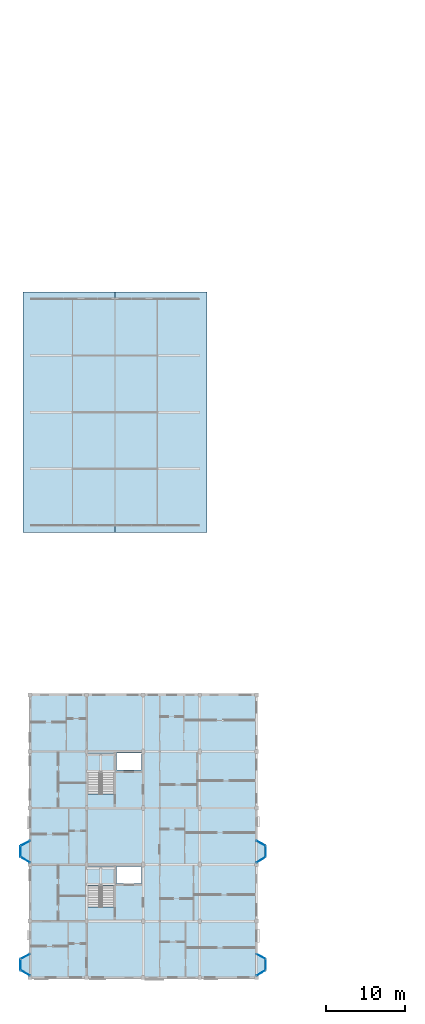
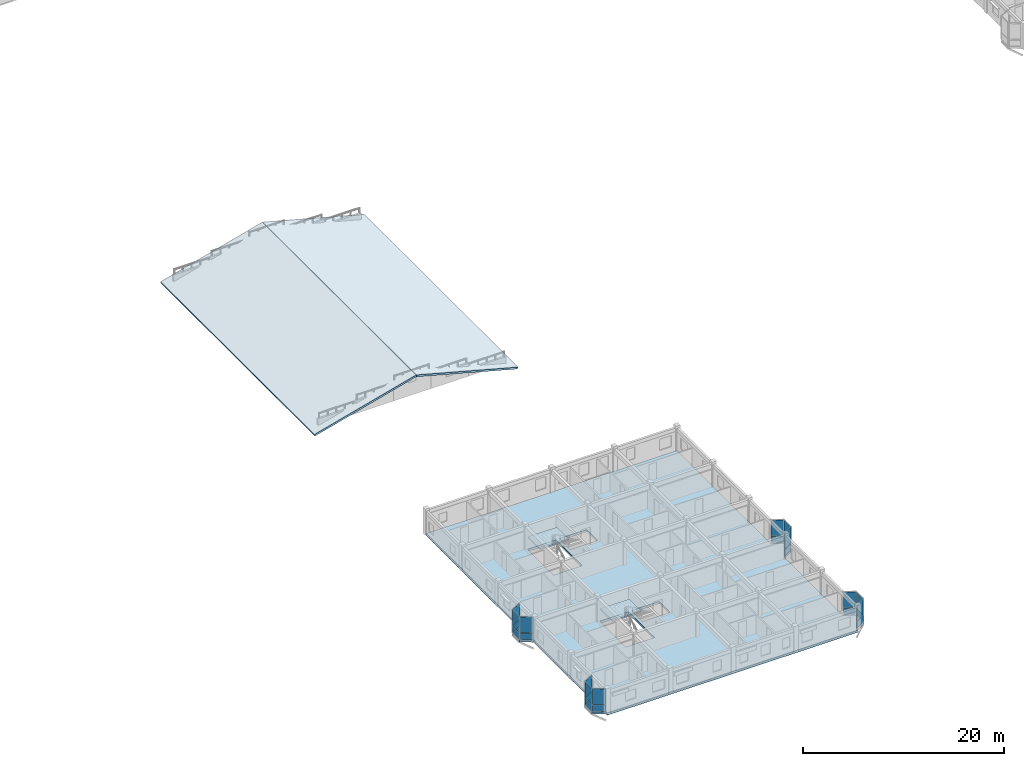
# One storey, part 41 of 65: 24 plates, 5 slabs, 14 elements without a shape of their own.
"""IFC4 building model written with IfcOpenShell, lengths in metres."""

from ifc_helpers import new_model, si_unit, direction, frame, origin, origin_2d, place, context, subcontext, project, spatial, polyline, rectangle, outline, extrude, material, layer, layer_set, type_object, element, aggregate, save


model = new_model("IFC4")

# Units and contexts
model_context = context("Model", 3, precision=1e-05, world=origin(), true_north=direction((0.0, 1.0)))
body_context = subcontext(model_context, "Body", "Model", "MODEL_VIEW")
ifc_project = project(units=[si_unit("LENGTHUNIT", "METRE"), si_unit("AREAUNIT", "SQUARE_METRE"), si_unit("VOLUMEUNIT", "CUBIC_METRE"), si_unit("PLANEANGLEUNIT", "RADIAN"), si_unit("MASSUNIT", "GRAM", prefix="KILO"), si_unit("THERMODYNAMICTEMPERATUREUNIT", "KELVIN"), si_unit("POWERUNIT", "WATT")], contexts=[model_context])

# Site, building, storey
site_placement = place(None, origin())
site = spatial("IfcSite", under=ifc_project, at=site_placement, CompositionType="ELEMENT")
building_placement = place(site_placement, origin())
building = spatial("IfcBuilding", under=site, at=building_placement, Name="Tavuni Mirador Residences", CompositionType="ELEMENT")
storey_placement = place(building_placement, frame((0.0, 0.0, 29.699951171875)))
storey = spatial("IfcBuildingStorey", under=building, at=storey_placement, Name="L09", CompositionType="ELEMENT", Elevation=29.699951171875)

# Curtain wall, plate
ifc_material_1 = material(Name="Anodised aluminium", Category="aluminium")
ifc_layer_1 = layer(ifc_material_1, 0.1650390625, Name="Anodised aluminium", Category="aluminium")
ifc_layer_set_1 = layer_set([ifc_layer_1], Name="Anodised aluminium")
curtain_wall_type_1 = type_object("IfcCurtainWallType", Name="CWT-MIR-A", PredefinedType="NOTDEFINED", material=ifc_layer_set_1)
curtain_wall_1_placement = place(storey_placement, origin())
curtain_wall_1 = element("IfcCurtainWall", 1, at=curtain_wall_1_placement, inside=storey, type_object=curtain_wall_type_1, Name="CW-MIR-A-E2-L09-M1", PredefinedType="NOTDEFINED")
ifc_material_2 = material(Name="Laminated solar-control glass", Category="glass")
ifc_layer_2 = layer(ifc_material_2, 0.02392578125, Name="Laminated solar-control glass", Category="glass")
ifc_layer_set_2 = layer_set([ifc_layer_2], Name="Laminated solar-control glass")
plate_type_1 = type_object("IfcPlateType", Name="CWP-GL24", PredefinedType="CURTAIN_PANEL", material=ifc_layer_set_2)
plate_1_placement = place(storey_placement, frame((33.0, 22.205078125, 0.8798828125), z_axis=(0.0, 0.0, 1.0), x_axis=(0.860640830284, 0.509212491254, 0.0)))
plate_1 = element("IfcPlate", 2, at=plate_1_placement, type_object=plate_type_1, Name="CW-01 panel 1.2", PredefinedType="CURTAIN_PANEL", context=body_context, shape_type="SweptSolid", body=[
    extrude(rectangle(XDim=1.2744140625, YDim=0.02392578125, at=origin_2d()), origin(), (0.0, 0.0, 1.0), 1.929931640625),
])

curtain_wall_2_placement = place(storey_placement, origin())
curtain_wall_2 = element("IfcCurtainWall", 3, at=curtain_wall_2_placement, inside=storey, type_object=curtain_wall_type_1, Name="CW-MIR-A-W2-L09-MF", PredefinedType="NOTDEFINED")
plate_2_placement = place(storey_placement, frame((2.39990234375, 23.27001953125, 0.8798828125), z_axis=(0.0, 0.0, 1.0), x_axis=(0.0, -1.0, 0.0)))
plate_2 = element("IfcPlate", 4, at=plate_2_placement, type_object=plate_type_1, Name="CW-01 panel 1.2", PredefinedType="CURTAIN_PANEL", context=body_context, shape_type="SweptSolid", body=[
    extrude(rectangle(XDim=1.300048828125, YDim=0.02392578125, at=origin_2d()), origin(), (0.0, 0.0, 1.0), 1.929931640625),
])

curtain_wall_3_placement = place(storey_placement, origin())
curtain_wall_3 = element("IfcCurtainWall", 5, at=curtain_wall_3_placement, inside=storey, type_object=curtain_wall_type_1, Name="CW-MIR-A-W1-L09-M2", PredefinedType="NOTDEFINED")
plate_3_placement = place(storey_placement, frame((3.0, 7.804931640625, 0.8798828125), z_axis=(0.0, 0.0, 1.0), x_axis=(0.860640830284, -0.509212491254, 0.0)))
plate_3 = element("IfcPlate", 6, at=plate_3_placement, type_object=plate_type_1, Name="CW-01 panel 1.2", PredefinedType="CURTAIN_PANEL", context=body_context, shape_type="SweptSolid", body=[
    extrude(rectangle(XDim=1.2744140625, YDim=0.02392578125, at=origin_2d()), origin(), (0.0, 0.0, 1.0), 1.929931640625),
])

ifc_layer_3 = layer(ifc_material_1, 0.14990234375, Name="Anodised aluminium", Category="aluminium")
ifc_layer_set_3 = layer_set([ifc_layer_3], Name="Anodised aluminium")
curtain_wall_type_2 = type_object("IfcCurtainWallType", Name="CWT-MIR-B", PredefinedType="NOTDEFINED", material=ifc_layer_set_3)
curtain_wall_4_placement = place(storey_placement, origin())
curtain_wall_4 = element("IfcCurtainWall", 7, at=curtain_wall_4_placement, inside=storey, type_object=curtain_wall_type_2, Name="CW-MIR-A-E1-L09-M1", PredefinedType="NOTDEFINED")
ifc_layer_4 = layer(ifc_material_2, 0.028076171875, Name="Laminated solar-control glass", Category="glass")
ifc_layer_set_4 = layer_set([ifc_layer_4], Name="Laminated solar-control glass")
plate_type_2 = type_object("IfcPlateType", Name="CWP-GL28", PredefinedType="CURTAIN_PANEL", material=ifc_layer_set_4)
plate_4_placement = place(storey_placement, frame((33.0, 7.804931640625, 0.88232421875), z_axis=(0.0, 0.0, 1.0), x_axis=(0.860640830284, 0.509212491254, 0.0)))
plate_4 = element("IfcPlate", 8, at=plate_4_placement, type_object=plate_type_2, Name="CW-02 panel 1.2", PredefinedType="CURTAIN_PANEL", context=body_context, shape_type="SweptSolid", body=[
    extrude(rectangle(XDim=1.264404296875, YDim=0.028076171875, at=origin_2d()), origin(), (0.0, 0.0, 1.0), 1.922607421875),
])

curtain_wall_5_placement = place(storey_placement, origin())
curtain_wall_5 = element("IfcCurtainWall", 9, at=curtain_wall_5_placement, inside=storey, type_object=curtain_wall_type_2, Name="CW-MIR-A-E2-L09-MF", PredefinedType="NOTDEFINED")
plate_5_placement = place(storey_placement, frame((33.60009765625, 23.27001953125, 0.88232421875), z_axis=(0.0, 0.0, 1.0), x_axis=(0.0, 1.0, 0.0)))
plate_5 = element("IfcPlate", 10, at=plate_5_placement, type_object=plate_type_2, Name="CW-02 panel 1.2", PredefinedType="CURTAIN_PANEL", context=body_context, shape_type="SweptSolid", body=[
    extrude(rectangle(XDim=1.2900390625, YDim=0.028076171875, at=origin_2d()), origin(), (0.0, 0.0, 1.0), 1.922607421875),
])

curtain_wall_6_placement = place(storey_placement, origin())
curtain_wall_6 = element("IfcCurtainWall", 11, at=curtain_wall_6_placement, inside=storey, type_object=curtain_wall_type_2, Name="CW-MIR-A-W2-L09-M2", PredefinedType="NOTDEFINED")
plate_6_placement = place(storey_placement, frame((3.0, 22.205078125, 0.88232421875), z_axis=(0.0, 0.0, 1.0), x_axis=(0.860640830284, -0.509212491254, 0.0)))
plate_6 = element("IfcPlate", 12, at=plate_6_placement, type_object=plate_type_2, Name="CW-02 panel 1.2", PredefinedType="CURTAIN_PANEL", context=body_context, shape_type="SweptSolid", body=[
    extrude(rectangle(XDim=1.264404296875, YDim=0.028076171875, at=origin_2d()), origin(), (0.0, 0.0, 1.0), 1.922607421875),
])

ifc_layer_5 = layer(ifc_material_1, 0.175048828125, Name="Anodised aluminium", Category="aluminium")
ifc_layer_set_5 = layer_set([ifc_layer_5], Name="Anodised aluminium")
curtain_wall_type_3 = type_object("IfcCurtainWallType", Name="CWT-MIR-C", PredefinedType="NOTDEFINED", material=ifc_layer_set_5)
curtain_wall_7_placement = place(storey_placement, origin())
curtain_wall_7 = element("IfcCurtainWall", 13, at=curtain_wall_7_placement, inside=storey, type_object=curtain_wall_type_3, Name="CW-MIR-A-E1-L09-MF", PredefinedType="NOTDEFINED")
ifc_layer_6 = layer(ifc_material_2, 0.031982421875, Name="Laminated solar-control glass", Category="glass")
ifc_layer_set_6 = layer_set([ifc_layer_6], Name="Laminated solar-control glass")
plate_type_3 = type_object("IfcPlateType", Name="CWP-GL32", PredefinedType="CURTAIN_PANEL", material=ifc_layer_set_6)
plate_7_placement = place(storey_placement, frame((33.60009765625, 8.8701171875, 0.8798828125), z_axis=(0.0, 0.0, 1.0), x_axis=(0.0, 1.0, 0.0)))
plate_7 = element("IfcPlate", 14, at=plate_7_placement, type_object=plate_type_3, Name="CW-03 panel 1.2", PredefinedType="CURTAIN_PANEL", context=body_context, shape_type="SweptSolid", body=[
    extrude(rectangle(XDim=1.300048828125, YDim=0.031982421875, at=origin_2d()), origin(), (0.0, 0.0, 1.0), 1.929931640625),
])

curtain_wall_8_placement = place(storey_placement, origin())
curtain_wall_8 = element("IfcCurtainWall", 15, at=curtain_wall_8_placement, inside=storey, type_object=curtain_wall_type_3, Name="CW-MIR-A-E2-L09-M2", PredefinedType="NOTDEFINED")
plate_8_placement = place(storey_placement, frame((33.0, 24.300048828125, 0.8798828125), z_axis=(0.0, 0.0, 1.0), x_axis=(-0.882352941175, 0.470588235296, 0.0)))
plate_8 = element("IfcPlate", 16, at=plate_8_placement, type_object=plate_type_3, Name="CW-03 panel 1.2", PredefinedType="CURTAIN_PANEL", context=body_context, shape_type="SweptSolid", body=[
    extrude(rectangle(XDim=1.239990234375, YDim=0.031982421875, at=origin_2d()), origin(), (0.0, 0.0, 1.0), 1.929931640625),
])

curtain_wall_9_placement = place(storey_placement, origin())
curtain_wall_9 = element("IfcCurtainWall", 17, at=curtain_wall_9_placement, inside=storey, type_object=curtain_wall_type_3, Name="CW-MIR-A-W1-L09-M1", PredefinedType="NOTDEFINED")
plate_9_placement = place(storey_placement, frame((3.0, 9.89990234375, 0.8798828125), z_axis=(0.0, 0.0, 1.0), x_axis=(-0.882352941175, -0.470588235296, 0.0)))
plate_9 = element("IfcPlate", 18, at=plate_9_placement, type_object=plate_type_3, Name="CW-03 panel 1.2", PredefinedType="CURTAIN_PANEL", context=body_context, shape_type="SweptSolid", body=[
    extrude(rectangle(XDim=1.239990234375, YDim=0.031982421875, at=origin_2d()), origin(), (0.0, 0.0, 1.0), 1.929931640625),
])

ifc_layer_7 = layer(ifc_material_1, 0.159912109375, Name="Anodised aluminium", Category="aluminium")
ifc_layer_set_7 = layer_set([ifc_layer_7], Name="Anodised aluminium")
curtain_wall_type_4 = type_object("IfcCurtainWallType", Name="CWT-MIR-D", PredefinedType="NOTDEFINED", material=ifc_layer_set_7)
curtain_wall_10_placement = place(storey_placement, origin())
curtain_wall_10 = element("IfcCurtainWall", 19, at=curtain_wall_10_placement, inside=storey, type_object=curtain_wall_type_4, Name="CW-MIR-A-E1-L09-M2", PredefinedType="NOTDEFINED")
ifc_layer_8 = layer(ifc_material_2, 0.035888671875, Name="Laminated solar-control glass", Category="glass")
ifc_layer_set_8 = layer_set([ifc_layer_8], Name="Laminated solar-control glass")
plate_type_4 = type_object("IfcPlateType", Name="CWP-GL36", PredefinedType="CURTAIN_PANEL", material=ifc_layer_set_8)
plate_10_placement = place(storey_placement, frame((33.0, 9.89990234375, 0.88232421875), z_axis=(0.0, 0.0, 1.0), x_axis=(-0.882352941175, 0.470588235296, 0.0)))
plate_10 = element("IfcPlate", 20, at=plate_10_placement, type_object=plate_type_4, Name="CW-04 panel 1.2", PredefinedType="CURTAIN_PANEL", context=body_context, shape_type="SweptSolid", body=[
    extrude(rectangle(XDim=1.22998046875, YDim=0.035888671875, at=origin_2d()), origin(), (0.0, 0.0, 1.0), 1.922607421875),
])

curtain_wall_11_placement = place(storey_placement, origin())
curtain_wall_11 = element("IfcCurtainWall", 21, at=curtain_wall_11_placement, inside=storey, type_object=curtain_wall_type_4, Name="CW-MIR-A-W2-L09-M1", PredefinedType="NOTDEFINED")
plate_11_placement = place(storey_placement, frame((3.0, 24.300048828125, 0.88232421875), z_axis=(0.0, 0.0, 1.0), x_axis=(-0.882352941175, -0.470588235296, 0.0)))
plate_11 = element("IfcPlate", 22, at=plate_11_placement, type_object=plate_type_4, Name="CW-04 panel 1.2", PredefinedType="CURTAIN_PANEL", context=body_context, shape_type="SweptSolid", body=[
    extrude(rectangle(XDim=1.22998046875, YDim=0.035888671875, at=origin_2d()), origin(), (0.0, 0.0, 1.0), 1.922607421875),
])

curtain_wall_12_placement = place(storey_placement, origin())
curtain_wall_12 = element("IfcCurtainWall", 23, at=curtain_wall_12_placement, inside=storey, type_object=curtain_wall_type_4, Name="CW-MIR-A-W1-L09-MF", PredefinedType="NOTDEFINED")
plate_12_placement = place(storey_placement, frame((2.39990234375, 8.8701171875, 0.88232421875), z_axis=(0.0, 0.0, 1.0), x_axis=(0.0, -1.0, 0.0)))
plate_12 = element("IfcPlate", 24, at=plate_12_placement, type_object=plate_type_4, Name="CW-04 panel 1.2", PredefinedType="CURTAIN_PANEL", context=body_context, shape_type="SweptSolid", body=[
    extrude(rectangle(XDim=1.2900390625, YDim=0.035888671875, at=origin_2d()), origin(), (0.0, 0.0, 1.0), 1.922607421875),
])

# Plate
ifc_material_3 = material(Name="Ceramic trencadis mosaic panel", Category="masonry")
ifc_layer_9 = layer(ifc_material_3, 0.0419921875, Name="Ceramic trencadis mosaic panel", Category="masonry")
ifc_layer_set_9 = layer_set([ifc_layer_9], Name="Ceramic trencadis mosaic panel")
plate_type_5 = type_object("IfcPlateType", Name="CWP-SP42", PredefinedType="CURTAIN_PANEL", material=ifc_layer_set_9)
plate_13_placement = place(storey_placement, frame((33.60009765625, 8.8701171875, 0.06005859375), z_axis=(0.0, 0.0, 1.0), x_axis=(0.0, 1.0, 0.0)))
plate_13 = element("IfcPlate", 25, at=plate_13_placement, type_object=plate_type_5, Name="CW-03 panel 1.1", PredefinedType="CURTAIN_PANEL", context=body_context, shape_type="SweptSolid", body=[
    extrude(rectangle(XDim=1.300048828125, YDim=0.0419921875, at=origin_2d()), origin(), (0.0, 0.0, 1.0), 0.760009765625),
])

aggregate(curtain_wall_7, [plate_13, plate_7])

plate_14_placement = place(storey_placement, frame((33.0, 22.205078125, 0.06005859375), z_axis=(0.0, 0.0, 1.0), x_axis=(0.860640830284, 0.509212491254, 0.0)))
plate_14 = element("IfcPlate", 26, at=plate_14_placement, type_object=plate_type_5, Name="CW-01 panel 1.1", PredefinedType="CURTAIN_PANEL", context=body_context, shape_type="SweptSolid", body=[
    extrude(rectangle(XDim=1.2744140625, YDim=0.0419921875, at=origin_2d()), origin(), (0.0, 0.0, 1.0), 0.760009765625),
])

aggregate(curtain_wall_1, [plate_14, plate_1])

plate_15_placement = place(storey_placement, frame((33.0, 24.300048828125, 0.06005859375), z_axis=(0.0, 0.0, 1.0), x_axis=(-0.882352941175, 0.470588235296, 0.0)))
plate_15 = element("IfcPlate", 27, at=plate_15_placement, type_object=plate_type_5, Name="CW-03 panel 1.1", PredefinedType="CURTAIN_PANEL", context=body_context, shape_type="SweptSolid", body=[
    extrude(rectangle(XDim=1.239990234375, YDim=0.0419921875, at=origin_2d()), origin(), (0.0, 0.0, 1.0), 0.760009765625),
])

aggregate(curtain_wall_8, [plate_15, plate_8])

plate_16_placement = place(storey_placement, frame((2.39990234375, 23.27001953125, 0.06005859375), z_axis=(0.0, 0.0, 1.0), x_axis=(0.0, -1.0, 0.0)))
plate_16 = element("IfcPlate", 28, at=plate_16_placement, type_object=plate_type_5, Name="CW-01 panel 1.1", PredefinedType="CURTAIN_PANEL", context=body_context, shape_type="SweptSolid", body=[
    extrude(rectangle(XDim=1.300048828125, YDim=0.0419921875, at=origin_2d()), origin(), (0.0, 0.0, 1.0), 0.760009765625),
])

aggregate(curtain_wall_2, [plate_16, plate_2])

plate_17_placement = place(storey_placement, frame((3.0, 9.89990234375, 0.06005859375), z_axis=(0.0, 0.0, 1.0), x_axis=(-0.882352941175, -0.470588235296, 0.0)))
plate_17 = element("IfcPlate", 29, at=plate_17_placement, type_object=plate_type_5, Name="CW-03 panel 1.1", PredefinedType="CURTAIN_PANEL", context=body_context, shape_type="SweptSolid", body=[
    extrude(rectangle(XDim=1.239990234375, YDim=0.0419921875, at=origin_2d()), origin(), (0.0, 0.0, 1.0), 0.760009765625),
])

aggregate(curtain_wall_9, [plate_17, plate_9])

plate_18_placement = place(storey_placement, frame((3.0, 7.804931640625, 0.06005859375), z_axis=(0.0, 0.0, 1.0), x_axis=(0.860640830284, -0.509212491254, 0.0)))
plate_18 = element("IfcPlate", 30, at=plate_18_placement, type_object=plate_type_5, Name="CW-01 panel 1.1", PredefinedType="CURTAIN_PANEL", context=body_context, shape_type="SweptSolid", body=[
    extrude(rectangle(XDim=1.2744140625, YDim=0.0419921875, at=origin_2d()), origin(), (0.0, 0.0, 1.0), 0.760009765625),
])

aggregate(curtain_wall_3, [plate_18, plate_3])

ifc_layer_10 = layer(ifc_material_3, 0.048095703125, Name="Ceramic trencadis mosaic panel", Category="masonry")
ifc_layer_set_10 = layer_set([ifc_layer_10], Name="Ceramic trencadis mosaic panel")
plate_type_6 = type_object("IfcPlateType", Name="CWP-SP48", PredefinedType="CURTAIN_PANEL", material=ifc_layer_set_10)
plate_19_placement = place(storey_placement, frame((33.0, 7.804931640625, 0.065185546875), z_axis=(0.0, 0.0, 1.0), x_axis=(0.860640830284, 0.509212491254, 0.0)))
plate_19 = element("IfcPlate", 31, at=plate_19_placement, type_object=plate_type_6, Name="CW-02 panel 1.1", PredefinedType="CURTAIN_PANEL", context=body_context, shape_type="SweptSolid", body=[
    extrude(rectangle(XDim=1.264404296875, YDim=0.048095703125, at=origin_2d()), origin(), (0.0, 0.0, 1.0), 0.75244140625),
])

aggregate(curtain_wall_4, [plate_19, plate_4])

plate_20_placement = place(storey_placement, frame((33.0, 9.89990234375, 0.065185546875), z_axis=(0.0, 0.0, 1.0), x_axis=(-0.882352941175, 0.470588235296, 0.0)))
plate_20 = element("IfcPlate", 32, at=plate_20_placement, type_object=plate_type_6, Name="CW-04 panel 1.1", PredefinedType="CURTAIN_PANEL", context=body_context, shape_type="SweptSolid", body=[
    extrude(rectangle(XDim=1.22998046875, YDim=0.048095703125, at=origin_2d()), origin(), (0.0, 0.0, 1.0), 0.75244140625),
])

aggregate(curtain_wall_10, [plate_20, plate_10])

plate_21_placement = place(storey_placement, frame((33.60009765625, 23.27001953125, 0.065185546875), z_axis=(0.0, 0.0, 1.0), x_axis=(0.0, 1.0, 0.0)))
plate_21 = element("IfcPlate", 33, at=plate_21_placement, type_object=plate_type_6, Name="CW-02 panel 1.1", PredefinedType="CURTAIN_PANEL", context=body_context, shape_type="SweptSolid", body=[
    extrude(rectangle(XDim=1.2900390625, YDim=0.048095703125, at=origin_2d()), origin(), (0.0, 0.0, 1.0), 0.75244140625),
])

aggregate(curtain_wall_5, [plate_21, plate_5])

plate_22_placement = place(storey_placement, frame((3.0, 24.300048828125, 0.065185546875), z_axis=(0.0, 0.0, 1.0), x_axis=(-0.882352941175, -0.470588235296, 0.0)))
plate_22 = element("IfcPlate", 34, at=plate_22_placement, type_object=plate_type_6, Name="CW-04 panel 1.1", PredefinedType="CURTAIN_PANEL", context=body_context, shape_type="SweptSolid", body=[
    extrude(rectangle(XDim=1.22998046875, YDim=0.048095703125, at=origin_2d()), origin(), (0.0, 0.0, 1.0), 0.75244140625),
])

aggregate(curtain_wall_11, [plate_22, plate_11])

plate_23_placement = place(storey_placement, frame((3.0, 22.205078125, 0.065185546875), z_axis=(0.0, 0.0, 1.0), x_axis=(0.860640830284, -0.509212491254, 0.0)))
plate_23 = element("IfcPlate", 35, at=plate_23_placement, type_object=plate_type_6, Name="CW-02 panel 1.1", PredefinedType="CURTAIN_PANEL", context=body_context, shape_type="SweptSolid", body=[
    extrude(rectangle(XDim=1.264404296875, YDim=0.048095703125, at=origin_2d()), origin(), (0.0, 0.0, 1.0), 0.75244140625),
])

aggregate(curtain_wall_6, [plate_23, plate_6])

plate_24_placement = place(storey_placement, frame((2.39990234375, 8.8701171875, 0.065185546875), z_axis=(0.0, 0.0, 1.0), x_axis=(0.0, -1.0, 0.0)))
plate_24 = element("IfcPlate", 36, at=plate_24_placement, type_object=plate_type_6, Name="CW-04 panel 1.1", PredefinedType="CURTAIN_PANEL", context=body_context, shape_type="SweptSolid", body=[
    extrude(rectangle(XDim=1.2900390625, YDim=0.048095703125, at=origin_2d()), origin(), (0.0, 0.0, 1.0), 0.75244140625),
])

aggregate(curtain_wall_12, [plate_24, plate_12])

# Slab
ifc_material_4 = material(Name="Prestressed concrete C45/55", Category="concrete")
ifc_layer_11 = layer(ifc_material_4, 0.280029296875, Name="Prestressed concrete C45/55", Category="concrete")
ifc_layer_set_11 = layer_set([ifc_layer_11], Name="Prestressed concrete C45/55")
slab_type_1 = type_object("IfcSlabType", Name="SLT-FLR280", PredefinedType="FLOOR", material=ifc_layer_set_11)
slab_1_placement = place(storey_placement, frame((0.0, 0.0, -0.280029296875)))
element("IfcSlab", 37, at=slab_1_placement, inside=storey, type_object=slab_type_1, Name="SLB-BLK-A-L09", PredefinedType="FLOOR", context=body_context, shape_type="SweptSolid", body=[
    extrude(outline(polyline([(3.60009765625, 7.199951171875), (32.39990234375, 7.199951171875), (32.39990234375, 7.449951171875), (33.60009765625, 8.159912109375), (33.60009765625, 9.580078125), (32.39990234375, 10.219970703125), (32.39990234375, 21.85009765625), (33.60009765625, 22.56005859375), (33.60009765625, 23.97998046875), (32.39990234375, 24.6201171875), (32.39990234375, 43.199951171875), (3.60009765625, 43.199951171875), (3.60009765625, 24.6201171875), (2.39990234375, 23.97998046875), (2.39990234375, 22.56005859375), (3.60009765625, 21.85009765625), (3.60009765625, 10.219970703125), (2.39990234375, 9.580078125), (2.39990234375, 8.159912109375), (3.60009765625, 7.449951171875), (3.60009765625, 7.199951171875)]), holes=[polyline([(10.9599609375, 16.2080078125), (14.239990234375, 16.2080078125), (14.239990234375, 21.360107421875), (10.9599609375, 21.360107421875), (10.9599609375, 16.2080078125)]), polyline([(14.6201171875, 19.219970703125), (17.780029296875, 19.219970703125), (17.780029296875, 21.3798828125), (14.6201171875, 21.3798828125), (14.6201171875, 19.219970703125)]), polyline([(10.9599609375, 30.60791015625), (14.239990234375, 30.60791015625), (14.239990234375, 35.760009765625), (10.9599609375, 35.760009765625), (10.9599609375, 30.60791015625)]), polyline([(14.6201171875, 33.6201171875), (17.780029296875, 33.6201171875), (17.780029296875, 35.780029296875), (14.6201171875, 35.780029296875), (14.6201171875, 33.6201171875)])]), origin(), (0.0, 0.0, 1.0), 0.280029296875),
])

# Stair, slab
ifc_material_5 = material(Name="Precast concrete C40/50", Category="concrete")
stair_type = type_object("IfcStairType", Name="STT-TYP", PredefinedType="HALF_TURN_STAIR", material=ifc_material_5)
stair_1_placement = place(storey_placement, origin())
stair_1 = element("IfcStair", 38, at=stair_1_placement, inside=storey, type_object=stair_type, Name="Protected exit stair ST1 (L09)", PredefinedType="HALF_TURN_STAIR")
ifc_layer_12 = layer(ifc_material_5, 0.179931640625, Name="Precast concrete C40/50", Category="concrete")
ifc_layer_set_12 = layer_set([ifc_layer_12], Name="Precast concrete C40/50")
slab_type_2 = type_object("IfcSlabType", Name="SLT-LND180", PredefinedType="LANDING", material=ifc_layer_set_12)
slab_2_placement = place(storey_placement, frame((0.0, 0.0, 1.39501953125)))
slab_2 = element("IfcSlab", 39, at=slab_2_placement, type_object=slab_type_2, Name="ST1 landing 1", PredefinedType="LANDING", context=body_context, shape_type="SweptSolid", body=[
    extrude(outline(polyline([(10.93994140625, 18.89208984375), (14.260009765625, 18.89208984375), (14.260009765625, 21.300048828125), (10.93994140625, 21.300048828125), (10.93994140625, 18.89208984375)])), origin(), (0.0, 0.0, 1.0), 0.179931640625),
])
aggregate(stair_1, [slab_2])

stair_2_placement = place(storey_placement, origin())
stair_2 = element("IfcStair", 40, at=stair_2_placement, inside=storey, type_object=stair_type, Name="Protected exit stair ST2 (L09)", PredefinedType="HALF_TURN_STAIR")
slab_3_placement = place(storey_placement, frame((0.0, 0.0, 1.39501953125)))
slab_3 = element("IfcSlab", 41, at=slab_3_placement, type_object=slab_type_2, Name="ST2 landing 1", PredefinedType="LANDING", context=body_context, shape_type="SweptSolid", body=[
    extrude(outline(polyline([(10.93994140625, 33.2919921875), (14.260009765625, 33.2919921875), (14.260009765625, 35.699951171875), (10.93994140625, 35.699951171875), (10.93994140625, 33.2919921875)])), origin(), (0.0, 0.0, 1.0), 0.179931640625),
])
aggregate(stair_2, [slab_3])

# Slabs
ifc_layer_13 = layer(ifc_material_5, 0.215087890625, Name="Precast concrete C40/50", Category="concrete")
ifc_layer_set_13 = layer_set([ifc_layer_13], Name="Precast concrete C40/50")
slab_type_3 = type_object("IfcSlabType", Name="SLT-RF215", PredefinedType="ROOF", material=ifc_layer_set_13)
for number, where, z_axis, x_axis, name in (
    (42, (2.699951171875, 63.89990234375, -0.24169921875), (-0.259594385417, 0.0, 0.965717740885), (0.965717740885, 0.0, 0.259594385417), "RF-BLK-B-W"),
    (43, (14.412109375, 63.89990234375, 2.900146484375), (0.259594385417, 0.0, 0.965717740885), (0.965717740885, 0.0, -0.259594385417), "RF-BLK-B-E"),
):
    element("IfcSlab", number, at=place(storey_placement, frame(where, z_axis=z_axis, x_axis=x_axis)), inside=storey, type_object=slab_type_3, Name=name, PredefinedType="ROOF", context=body_context, shape_type="SweptSolid", body=[
        extrude(outline(polyline([(0.0, 0.0), (12.10290314283653, 0.0), (12.10290314283653, 30.60009765625), (0.0, 30.60009765625), (0.0, 0.0)])), origin(), (0.0, 0.0, -1.0), 0.215087890625),
    ])

save(model, "model.ifc")
